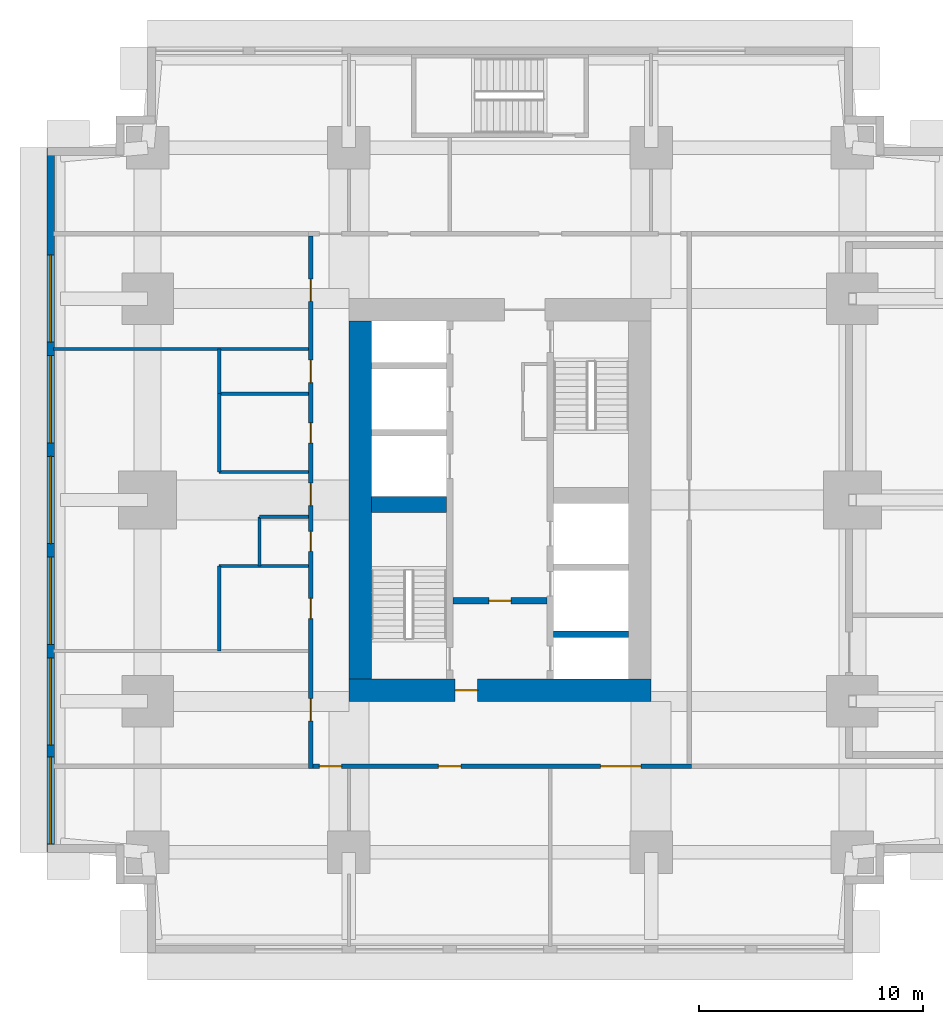
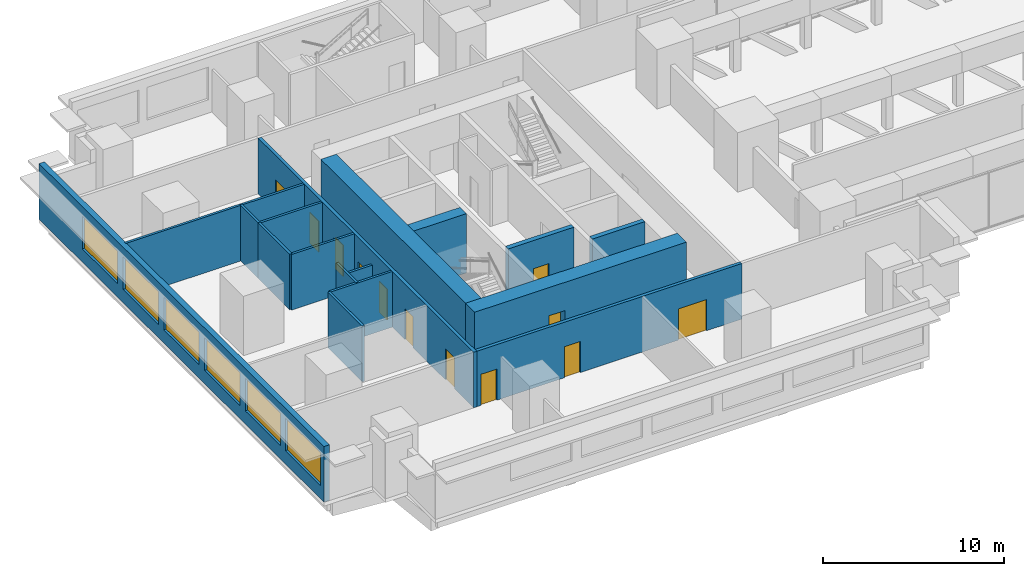
# One storey, part 7 of 15: 17 walls, 12 doors, 6 windows, 18 openings.
"""IFC4 building model written with IfcOpenShell, lengths in metres."""

from ifc_helpers import new_model, si_unit, direction, frame, frame_2d, origin, place, context, subcontext, project, spatial, rectangle, extrude, material, layer, layer_set, type_object, element, fill, save


model = new_model("IFC4")

# Units and contexts
model_context = context("Model", 3, precision=1e-05, world=origin(), true_north=direction((0.0, 1.0)))
body_context = subcontext(model_context, "Body", "Model", "MODEL_VIEW")
ifc_project = project(units=[si_unit("LENGTHUNIT", "METRE"), si_unit("AREAUNIT", "SQUARE_METRE"), si_unit("VOLUMEUNIT", "CUBIC_METRE"), si_unit("PLANEANGLEUNIT", "RADIAN"), si_unit("MASSUNIT", "GRAM", prefix="KILO")], contexts=[model_context])

# Site, building, storey
site_placement = place(None, origin())
site = spatial("IfcSite", under=ifc_project, at=site_placement, CompositionType="ELEMENT")
building_placement = place(site_placement, origin())
building = spatial("IfcBuilding", under=site, at=building_placement, Name="Namib Vertical Campus", CompositionType="ELEMENT")
storey_placement = place(building_placement, frame((0.0, 0.0, 105.0)))
storey = spatial("IfcBuildingStorey", under=building, at=storey_placement, Name="L24", CompositionType="ELEMENT", Elevation=105.0)

# Wall, opening, door
ifc_material_1 = material(Name="Concrete C60/75", Category="concrete")
ifc_layer_1 = layer(ifc_material_1, 0.300048828125)
ifc_layer_set_1 = layer_set([ifc_layer_1], Name="Concrete C60/75")
wall_type_1 = type_object("IfcWallType", Name="Core inner wall 300", PredefinedType="SHEAR", material=ifc_layer_set_1)
wall_1_placement = place(storey_placement, frame((18.14990234375, 15.75, 0.0), z_axis=(0.0, 0.0, 1.0), x_axis=(1.0, 0.0, 0.0)))
wall_1 = element("IfcWall", 1, at=wall_1_placement, inside=storey, type_object=wall_type_1, Name="Core inner wall A L24 W4", PredefinedType="SHEAR", context=body_context, shape_type="SweptSolid", body=[
    extrude(rectangle(XDim=4.2001953125, YDim=0.300048828125, at=frame_2d((2.10009765625, 0.0))), origin(), (0.0, 0.0, 1.0), 4.0),
])
opening_1_placement = place(wall_1_placement, frame((1.60009765625, 0.0, 0.0)))
opening_1 = element("IfcOpeningElement", 2, at=opening_1_placement, cuts=wall_1, Name="Opening FD5", PredefinedType="OPENING", context=body_context, shape_type="SweptSolid", body=[
    extrude(rectangle(XDim=1.0, YDim=2.10009765625, at=frame_2d((0.5, 1.050048828125))), frame((0.0, 0.159912109375, 0.0), z_axis=(0.0, -1.0, 0.0), x_axis=(1.0, 0.0, 0.0)), (0.0, 0.0, 1.0), 0.320068359375),
])
ifc_material_2 = material(Name="Steel fire door", Category="steel")
door_type_1 = type_object("IfcDoorType", Name="Fire door 1000x2100 120 min", OperationType="SINGLE_SWING_RIGHT", PredefinedType="DOOR", material=ifc_material_2)
door_1_placement = place(opening_1_placement, frame((1.0, 0.0, 0.0), z_axis=(0.0, 0.0, 1.0), x_axis=(-1.0, 0.0, 0.0)))
door_1 = element("IfcDoor", 3, at=door_1_placement, inside=storey, type_object=door_type_1, Name="Lobby door FD5 A L24", OperationType="SINGLE_SWING_RIGHT", OverallHeight=2.10009765625, OverallWidth=1.0, PredefinedType="DOOR", context=body_context, shape_type="SweptSolid", body=[
    extrude(rectangle(XDim=1.0, YDim=2.10009765625, at=frame_2d((0.5, 1.050048828125))), frame((0.0, 0.02490234375, 0.0), z_axis=(0.0, -1.0, 0.0), x_axis=(1.0, 0.0, 0.0)), (0.0, 0.0, 1.0), 0.050048828125),
])
fill(opening_1, door_1)

# Walls
wall_2_placement = place(storey_placement, frame((22.64990234375, 14.25, 0.0), z_axis=(0.0, 0.0, 1.0), x_axis=(1.0, 0.0, 0.0)))
element("IfcWall", 4, at=wall_2_placement, inside=storey, type_object=wall_type_1, Name="Core inner wall A L24 W5", PredefinedType="SHEAR", context=body_context, shape_type="SweptSolid", body=[
    extrude(rectangle(XDim=3.35009765625, YDim=0.300048828125, at=frame_2d((1.675048828125, 0.0))), origin(), (0.0, 0.0, 1.0), 4.0),
])
ifc_material_3 = material(Name="Concrete C60/75", Category="concrete")
ifc_layer_2 = layer(ifc_material_3, 0.699951171875)
ifc_layer_set_2 = layer_set([ifc_layer_2], Name="Concrete C60/75")
wall_type_2 = type_object("IfcWallType", Name="Core shear wall 700", PredefinedType="SHEAR", material=ifc_layer_set_2)
wall_3_placement = place(storey_placement, frame((14.5, 20.050048828125, 0.0), z_axis=(0.0, 0.0, 1.0), x_axis=(1.0, 0.0, 0.0)))
element("IfcWall", 5, at=wall_3_placement, inside=storey, type_object=wall_type_2, Name="Core shear wall A L24 W3", PredefinedType="SHEAR", context=body_context, shape_type="SweptSolid", body=[
    extrude(rectangle(XDim=3.35009765625, YDim=0.699951171875, at=frame_2d((1.675048828125, 0.0))), origin(), (0.0, 0.0, 1.0), 4.0),
])

# Wall, opening, door
ifc_material_4 = material(Name="Concrete C60/75", Category="concrete")
ifc_layer_3 = layer(ifc_material_4, 1.0)
ifc_layer_set_3 = layer_set([ifc_layer_3], Name="Concrete C60/75")
wall_type_3 = type_object("IfcWallType", Name="Core wall 1000", PredefinedType="SHEAR", material=ifc_layer_set_3)
wall_4_placement = place(storey_placement, frame((13.5, 11.75, 0.0), z_axis=(0.0, 0.0, 1.0), x_axis=(1.0, 0.0, 0.0)))
wall_4 = element("IfcWall", 6, at=wall_4_placement, inside=storey, type_object=wall_type_3, Name="Core wall A L24 1", PredefinedType="SHEAR", context=body_context, shape_type="SweptSolid", body=[
    extrude(rectangle(XDim=13.5, YDim=1.0, at=frame_2d((6.75, 0.0))), origin(), (0.0, 0.0, 1.0), 4.0),
])
opening_2_placement = place(wall_4_placement, frame((4.75, 0.0, 0.0)))
opening_2 = element("IfcOpeningElement", 7, at=opening_2_placement, cuts=wall_4, Name="Opening FD5", PredefinedType="OPENING", context=body_context, shape_type="SweptSolid", body=[
    extrude(rectangle(XDim=1.0, YDim=2.10009765625, at=frame_2d((0.5, 1.050048828125))), frame((0.0, 0.510009765625, 0.0), z_axis=(0.0, -1.0, 0.0), x_axis=(1.0, 0.0, 0.0)), (0.0, 0.0, 1.0), 1.02001953125),
])
door_2_placement = place(opening_2_placement, origin())
door_2 = element("IfcDoor", 8, at=door_2_placement, inside=storey, type_object=door_type_1, Name="Firefighting lobby door FD5 A L24", OperationType="SINGLE_SWING_LEFT", OverallHeight=2.10009765625, OverallWidth=1.0, PredefinedType="DOOR", context=body_context, shape_type="SweptSolid", body=[
    extrude(rectangle(XDim=1.0, YDim=2.10009765625, at=frame_2d((0.5, 1.050048828125))), frame((0.0, 0.02490234375, 0.0), z_axis=(0.0, -1.0, 0.0), x_axis=(1.0, 0.0, 0.0)), (0.0, 0.0, 1.0), 0.050048828125),
])
fill(opening_2, door_2)

# Wall
wall_5_placement = place(storey_placement, frame((14.0, 28.25, 0.0), z_axis=(0.0, 0.0, 1.0), x_axis=(0.0, -1.0, 0.0)))
element("IfcWall", 9, at=wall_5_placement, inside=storey, type_object=wall_type_3, Name="Core wall A L24 4", PredefinedType="SHEAR", context=body_context, shape_type="SweptSolid", body=[
    extrude(rectangle(XDim=16.0, YDim=1.0, at=frame_2d((8.0, 0.0))), origin(), (0.0, 0.0, 1.0), 4.0),
])

# Wall, openings, doors
ifc_material_5 = material(Name="Concrete masonry", Category="masonry")
ifc_layer_4 = layer(ifc_material_5, 0.199951171875)
ifc_layer_set_4 = layer_set([ifc_layer_4], Name="Corridor wall 200")
wall_type_4 = type_object("IfcWallType", Name="Corridor wall 200", PredefinedType="SOLIDWALL", material=ifc_layer_set_4)
wall_6_placement = place(storey_placement, frame((11.89990234375, 8.35009765625, 0.0), z_axis=(0.0, 0.0, 1.0), x_axis=(1.0, 0.0, 0.0)))
wall_6 = element("IfcWall", 10, at=wall_6_placement, inside=storey, type_object=wall_type_4, Name="Corridor wall A L24 CS", PredefinedType="SOLIDWALL", context=body_context, shape_type="SweptSolid", body=[
    extrude(rectangle(XDim=16.900146484375, YDim=0.199951171875, at=frame_2d((8.4501953125, 0.0))), origin(), (0.0, 0.0, 1.0), 3.75),
])
opening_3_placement = place(wall_6_placement, frame((0.27490234375, 0.0, 0.0)))
opening_3 = element("IfcOpeningElement", 11, at=opening_3_placement, cuts=wall_6, Name="Opening CD1", PredefinedType="OPENING", context=body_context, shape_type="SweptSolid", body=[
    extrude(rectangle(XDim=1.0, YDim=2.10009765625, at=frame_2d((0.5, 1.050048828125))), frame((0.0, 0.10986328125, 0.0), z_axis=(0.0, -1.0, 0.0), x_axis=(1.0, 0.0, 0.0)), (0.0, 0.0, 1.0), 0.219970703125),
])
opening_4_placement = place(wall_6_placement, frame((5.60009765625, 0.0, 0.0)))
opening_4 = element("IfcOpeningElement", 12, at=opening_4_placement, cuts=wall_6, Name="Opening CD1", PredefinedType="OPENING", context=body_context, shape_type="SweptSolid", body=[
    extrude(rectangle(XDim=1.0, YDim=2.10009765625, at=frame_2d((0.5, 1.050048828125))), frame((0.0, 0.10986328125, 0.0), z_axis=(0.0, -1.0, 0.0), x_axis=(1.0, 0.0, 0.0)), (0.0, 0.0, 1.0), 0.219970703125),
])
opening_5_placement = place(wall_6_placement, frame((12.85009765625, 0.0, 0.0)))
opening_5 = element("IfcOpeningElement", 13, at=opening_5_placement, cuts=wall_6, Name="Opening CD2", PredefinedType="OPENING", context=body_context, shape_type="SweptSolid", body=[
    extrude(rectangle(XDim=1.800048828125, YDim=2.10009765625, at=frame_2d((0.89990234375, 1.050048828125))), frame((0.0, 0.10986328125, 0.0), z_axis=(0.0, -1.0, 0.0), x_axis=(1.0, 0.0, 0.0)), (0.0, 0.0, 1.0), 0.219970703125),
])
ifc_material_6 = material(Name="Timber fire door leaf", Category="wood")
door_type_2 = type_object("IfcDoorType", Name="Corridor door 1000x2100 20 min", OperationType="SINGLE_SWING_LEFT", PredefinedType="DOOR", material=ifc_material_6)
door_3_placement = place(opening_3_placement, frame((1.0, 0.0, 0.0), z_axis=(0.0, 0.0, 1.0), x_axis=(-1.0, 0.0, 0.0)))
door_3 = element("IfcDoor", 14, at=door_3_placement, inside=storey, type_object=door_type_2, Name="Door CD1 A24-01", OperationType="SINGLE_SWING_LEFT", OverallHeight=2.10009765625, OverallWidth=1.0, PredefinedType="DOOR", context=body_context, shape_type="SweptSolid", body=[
    extrude(rectangle(XDim=1.0, YDim=2.10009765625, at=frame_2d((0.5, 1.050048828125))), frame((0.0, 0.02490234375, 0.0), z_axis=(0.0, -1.0, 0.0), x_axis=(1.0, 0.0, 0.0)), (0.0, 0.0, 1.0), 0.050048828125),
])
fill(opening_3, door_3)
door_4_placement = place(opening_4_placement, frame((1.0, 0.0, 0.0), z_axis=(0.0, 0.0, 1.0), x_axis=(-1.0, 0.0, 0.0)))
door_4 = element("IfcDoor", 15, at=door_4_placement, inside=storey, type_object=door_type_2, Name="Door CD1 A24-02", OperationType="SINGLE_SWING_RIGHT", OverallHeight=2.10009765625, OverallWidth=1.0, PredefinedType="DOOR", context=body_context, shape_type="SweptSolid", body=[
    extrude(rectangle(XDim=1.0, YDim=2.10009765625, at=frame_2d((0.5, 1.050048828125))), frame((0.0, 0.02490234375, 0.0), z_axis=(0.0, -1.0, 0.0), x_axis=(1.0, 0.0, 0.0)), (0.0, 0.0, 1.0), 0.050048828125),
])
fill(opening_4, door_4)
ifc_material_7 = material(Name="Timber fire door leaf", Category="wood")
door_type_3 = type_object("IfcDoorType", Name="Corridor door double 1800x2100 20 min", OperationType="DOUBLE_DOOR_SINGLE_SWING", PredefinedType="DOOR", material=ifc_material_7)
door_5_placement = place(opening_5_placement, frame((1.800048828125, 0.0, 0.0), z_axis=(0.0, 0.0, 1.0), x_axis=(-1.0, 0.0, 0.0)))
door_5 = element("IfcDoor", 16, at=door_5_placement, inside=storey, type_object=door_type_3, Name="Door CD2 A24-03", OperationType="DOUBLE_DOOR_SINGLE_SWING", OverallHeight=2.10009765625, OverallWidth=1.800048828125, PredefinedType="DOOR", context=body_context, shape_type="SweptSolid", body=[
    extrude(rectangle(XDim=1.800048828125, YDim=2.10009765625, at=frame_2d((0.89990234375, 1.050048828125))), frame((0.0, 0.02490234375, 0.0), z_axis=(0.0, -1.0, 0.0), x_axis=(1.0, 0.0, 0.0)), (0.0, 0.0, 1.0), 0.050048828125),
])
fill(opening_5, door_5)

wall_7_placement = place(storey_placement, frame((11.800048828125, 32.050048828125, 0.0), z_axis=(0.0, 0.0, 1.0), x_axis=(0.0, -1.0, 0.0)))
wall_7 = element("IfcWall", 17, at=wall_7_placement, inside=storey, type_object=wall_type_4, Name="Corridor wall A L24 CW", PredefinedType="SOLIDWALL", context=body_context, shape_type="SweptSolid", body=[
    extrude(rectangle(XDim=23.800048828125, YDim=0.199951171875, at=frame_2d((11.89990234375, 0.0))), origin(), (0.0, 0.0, 1.0), 3.75),
])
opening_6_placement = place(wall_7_placement, frame((20.675048828125, 0.0, 0.0)))
opening_6 = element("IfcOpeningElement", 18, at=opening_6_placement, cuts=wall_7, Name="Opening CD1", PredefinedType="OPENING", context=body_context, shape_type="SweptSolid", body=[
    extrude(rectangle(XDim=1.0, YDim=2.10009765625, at=frame_2d((0.5, 1.050048828125))), frame((0.0, 0.10986328125, 0.0), z_axis=(0.0, -1.0, 0.0), x_axis=(1.0, 0.0, 0.0)), (0.0, 0.0, 1.0), 0.219970703125),
])
opening_7_placement = place(wall_7_placement, frame((16.199951171875, 0.0, 0.0)))
opening_7 = element("IfcOpeningElement", 19, at=opening_7_placement, cuts=wall_7, Name="Opening CD3", PredefinedType="OPENING", context=body_context, shape_type="SweptSolid", body=[
    extrude(rectangle(XDim=0.89990234375, YDim=2.10009765625, at=frame_2d((0.449951171875, 1.050048828125))), frame((0.0, 0.10986328125, 0.0), z_axis=(0.0, -1.0, 0.0), x_axis=(1.0, 0.0, 0.0)), (0.0, 0.0, 1.0), 0.219970703125),
])
opening_8_placement = place(wall_7_placement, frame((13.199951171875, 0.0, 0.0)))
opening_8 = element("IfcOpeningElement", 20, at=opening_8_placement, cuts=wall_7, Name="Opening CD3", PredefinedType="OPENING", context=body_context, shape_type="SweptSolid", body=[
    extrude(rectangle(XDim=0.89990234375, YDim=2.10009765625, at=frame_2d((0.449951171875, 1.050048828125))), frame((0.0, 0.10986328125, 0.0), z_axis=(0.0, -1.0, 0.0), x_axis=(1.0, 0.0, 0.0)), (0.0, 0.0, 1.0), 0.219970703125),
])
opening_9_placement = place(wall_7_placement, frame((8.35009765625, 0.0, 0.0)))
opening_9 = element("IfcOpeningElement", 21, at=opening_9_placement, cuts=wall_7, Name="Opening CD3", PredefinedType="OPENING", context=body_context, shape_type="SweptSolid", body=[
    extrude(rectangle(XDim=0.89990234375, YDim=2.10009765625, at=frame_2d((0.449951171875, 1.050048828125))), frame((0.0, 0.10986328125, 0.0), z_axis=(0.0, -1.0, 0.0), x_axis=(1.0, 0.0, 0.0)), (0.0, 0.0, 1.0), 0.219970703125),
])
opening_10_placement = place(wall_7_placement, frame((5.550048828125, 0.0, 0.0)))
opening_10 = element("IfcOpeningElement", 22, at=opening_10_placement, cuts=wall_7, Name="Opening CD1", PredefinedType="OPENING", context=body_context, shape_type="SweptSolid", body=[
    extrude(rectangle(XDim=1.0, YDim=2.10009765625, at=frame_2d((0.5, 1.050048828125))), frame((0.0, 0.10986328125, 0.0), z_axis=(0.0, -1.0, 0.0), x_axis=(1.0, 0.0, 0.0)), (0.0, 0.0, 1.0), 0.219970703125),
])
opening_11_placement = place(wall_7_placement, frame((11.050048828125, 0.0, 0.0)))
opening_11 = element("IfcOpeningElement", 23, at=opening_11_placement, cuts=wall_7, Name="Opening CD1", PredefinedType="OPENING", context=body_context, shape_type="SweptSolid", body=[
    extrude(rectangle(XDim=1.0, YDim=2.10009765625, at=frame_2d((0.5, 1.050048828125))), frame((0.0, 0.10986328125, 0.0), z_axis=(0.0, -1.0, 0.0), x_axis=(1.0, 0.0, 0.0)), (0.0, 0.0, 1.0), 0.219970703125),
])
opening_12_placement = place(wall_7_placement, frame((1.925048828125, 0.0, 0.0)))
opening_12 = element("IfcOpeningElement", 24, at=opening_12_placement, cuts=wall_7, Name="Opening CD1", PredefinedType="OPENING", context=body_context, shape_type="SweptSolid", body=[
    extrude(rectangle(XDim=1.0, YDim=2.10009765625, at=frame_2d((0.5, 1.050048828125))), frame((0.0, 0.10986328125, 0.0), z_axis=(0.0, -1.0, 0.0), x_axis=(1.0, 0.0, 0.0)), (0.0, 0.0, 1.0), 0.219970703125),
])
door_6_placement = place(opening_6_placement, frame((1.0, 0.0, 0.0), z_axis=(0.0, 0.0, 1.0), x_axis=(-1.0, 0.0, 0.0)))
door_6 = element("IfcDoor", 25, at=door_6_placement, inside=storey, type_object=door_type_2, Name="Door CD1 A24-09", OperationType="SINGLE_SWING_RIGHT", OverallHeight=2.10009765625, OverallWidth=1.0, PredefinedType="DOOR", context=body_context, shape_type="SweptSolid", body=[
    extrude(rectangle(XDim=1.0, YDim=2.10009765625, at=frame_2d((0.5, 1.050048828125))), frame((0.0, 0.02490234375, 0.0), z_axis=(0.0, -1.0, 0.0), x_axis=(1.0, 0.0, 0.0)), (0.0, 0.0, 1.0), 0.050048828125),
])
fill(opening_6, door_6)
door_7_placement = place(opening_10_placement, frame((1.0, 0.0, 0.0), z_axis=(0.0, 0.0, 1.0), x_axis=(-1.0, 0.0, 0.0)))
door_7 = element("IfcDoor", 26, at=door_7_placement, inside=storey, type_object=door_type_2, Name="Door CD1 A24-13", OperationType="SINGLE_SWING_RIGHT", OverallHeight=2.10009765625, OverallWidth=1.0, PredefinedType="DOOR", context=body_context, shape_type="SweptSolid", body=[
    extrude(rectangle(XDim=1.0, YDim=2.10009765625, at=frame_2d((0.5, 1.050048828125))), frame((0.0, 0.02490234375, 0.0), z_axis=(0.0, -1.0, 0.0), x_axis=(1.0, 0.0, 0.0)), (0.0, 0.0, 1.0), 0.050048828125),
])
fill(opening_10, door_7)
door_8_placement = place(opening_11_placement, frame((1.0, 0.0, 0.0), z_axis=(0.0, 0.0, 1.0), x_axis=(-1.0, 0.0, 0.0)))
door_8 = element("IfcDoor", 27, at=door_8_placement, inside=storey, type_object=door_type_2, Name="Door CD1 A24-14", OperationType="SINGLE_SWING_RIGHT", OverallHeight=2.10009765625, OverallWidth=1.0, PredefinedType="DOOR", context=body_context, shape_type="SweptSolid", body=[
    extrude(rectangle(XDim=1.0, YDim=2.10009765625, at=frame_2d((0.5, 1.050048828125))), frame((0.0, 0.02490234375, 0.0), z_axis=(0.0, -1.0, 0.0), x_axis=(1.0, 0.0, 0.0)), (0.0, 0.0, 1.0), 0.050048828125),
])
fill(opening_11, door_8)
door_9_placement = place(opening_12_placement, frame((1.0, 0.0, 0.0), z_axis=(0.0, 0.0, 1.0), x_axis=(-1.0, 0.0, 0.0)))
door_9 = element("IfcDoor", 28, at=door_9_placement, inside=storey, type_object=door_type_2, Name="Door CD1 A24-15", OperationType="SINGLE_SWING_RIGHT", OverallHeight=2.10009765625, OverallWidth=1.0, PredefinedType="DOOR", context=body_context, shape_type="SweptSolid", body=[
    extrude(rectangle(XDim=1.0, YDim=2.10009765625, at=frame_2d((0.5, 1.050048828125))), frame((0.0, 0.02490234375, 0.0), z_axis=(0.0, -1.0, 0.0), x_axis=(1.0, 0.0, 0.0)), (0.0, 0.0, 1.0), 0.050048828125),
])
fill(opening_12, door_9)
ifc_material_8 = material(Name="Timber fire door leaf", Category="wood")
door_type_4 = type_object("IfcDoorType", Name="Corridor toilet door 900x2100 20 min", OperationType="SINGLE_SWING_LEFT", PredefinedType="DOOR", material=ifc_material_8)
door_10_placement = place(opening_7_placement, frame((0.89990234375, 0.0, 0.0), z_axis=(0.0, 0.0, 1.0), x_axis=(-1.0, 0.0, 0.0)))
door_10 = element("IfcDoor", 29, at=door_10_placement, inside=storey, type_object=door_type_4, Name="Door CD3 A24-10", OperationType="SINGLE_SWING_RIGHT", OverallHeight=2.10009765625, OverallWidth=0.89990234375, PredefinedType="DOOR", context=body_context, shape_type="SweptSolid", body=[
    extrude(rectangle(XDim=0.89990234375, YDim=2.10009765625, at=frame_2d((0.449951171875, 1.050048828125))), frame((0.0, 0.02490234375, 0.0), z_axis=(0.0, -1.0, 0.0), x_axis=(1.0, 0.0, 0.0)), (0.0, 0.0, 1.0), 0.050048828125),
])
fill(opening_7, door_10)
door_11_placement = place(opening_8_placement, frame((0.89990234375, 0.0, 0.0), z_axis=(0.0, 0.0, 1.0), x_axis=(-1.0, 0.0, 0.0)))
door_11 = element("IfcDoor", 30, at=door_11_placement, inside=storey, type_object=door_type_4, Name="Door CD3 A24-11", OperationType="SINGLE_SWING_RIGHT", OverallHeight=2.10009765625, OverallWidth=0.89990234375, PredefinedType="DOOR", context=body_context, shape_type="SweptSolid", body=[
    extrude(rectangle(XDim=0.89990234375, YDim=2.10009765625, at=frame_2d((0.449951171875, 1.050048828125))), frame((0.0, 0.02490234375, 0.0), z_axis=(0.0, -1.0, 0.0), x_axis=(1.0, 0.0, 0.0)), (0.0, 0.0, 1.0), 0.050048828125),
])
fill(opening_8, door_11)
door_12_placement = place(opening_9_placement, frame((0.89990234375, 0.0, 0.0), z_axis=(0.0, 0.0, 1.0), x_axis=(-1.0, 0.0, 0.0)))
door_12 = element("IfcDoor", 31, at=door_12_placement, inside=storey, type_object=door_type_4, Name="Door CD3 A24-12", OperationType="SINGLE_SWING_RIGHT", OverallHeight=2.10009765625, OverallWidth=0.89990234375, PredefinedType="DOOR", context=body_context, shape_type="SweptSolid", body=[
    extrude(rectangle(XDim=0.89990234375, YDim=2.10009765625, at=frame_2d((0.449951171875, 1.050048828125))), frame((0.0, 0.02490234375, 0.0), z_axis=(0.0, -1.0, 0.0), x_axis=(1.0, 0.0, 0.0)), (0.0, 0.0, 1.0), 0.050048828125),
])
fill(opening_9, door_12)

# Wall, openings, windows
ifc_material_9 = material(Name="Concrete C40/50", Category="concrete")
ifc_layer_5 = layer(ifc_material_9, 0.35009765625)
ifc_layer_set_5 = layer_set([ifc_layer_5], Name="Concrete C40/50")
wall_type_5 = type_object("IfcWallType", Name="External wall 350 bush-hammered concrete", PredefinedType="STANDARD", material=ifc_layer_set_5)
wall_8_placement = place(storey_placement, frame((0.175048828125, 35.97998046875, 0.0), z_axis=(0.0, 0.0, 1.0), x_axis=(0.0, -1.0, 0.0)))
wall_8 = element("IfcWall", 32, at=wall_8_placement, inside=storey, type_object=wall_type_5, Name="External wall L24 F21", PredefinedType="STANDARD", context=body_context, shape_type="SweptSolid", body=[
    extrude(rectangle(XDim=31.4599609375, YDim=0.35009765625, at=frame_2d((15.72998046875, 0.0))), origin(), (0.0, 0.0, 1.0), 3.75),
])
opening_13_placement = place(wall_8_placement, frame((27.2099609375, 0.0, 0.89990234375)))
opening_13 = element("IfcOpeningElement", 33, at=opening_13_placement, cuts=wall_8, Name="Opening W1", PredefinedType="OPENING", context=body_context, shape_type="SweptSolid", body=[
    extrude(rectangle(XDim=3.89990234375, YDim=2.199951171875, at=frame_2d((1.949951171875, 1.10009765625))), frame((0.0, 0.18505859375, 0.0), z_axis=(0.0, -1.0, 0.0), x_axis=(1.0, 0.0, 0.0)), (0.0, 0.0, 1.0), 0.3701171875),
])
opening_14_placement = place(wall_8_placement, frame((22.780029296875, 0.0, 0.89990234375)))
opening_14 = element("IfcOpeningElement", 34, at=opening_14_placement, cuts=wall_8, Name="Opening W1", PredefinedType="OPENING", context=body_context, shape_type="SweptSolid", body=[
    extrude(rectangle(XDim=3.89990234375, YDim=2.199951171875, at=frame_2d((1.949951171875, 1.10009765625))), frame((0.0, 0.18505859375, 0.0), z_axis=(0.0, -1.0, 0.0), x_axis=(1.0, 0.0, 0.0)), (0.0, 0.0, 1.0), 0.3701171875),
])
opening_15_placement = place(wall_8_placement, frame((18.280029296875, 0.0, 0.89990234375)))
opening_15 = element("IfcOpeningElement", 35, at=opening_15_placement, cuts=wall_8, Name="Opening W1", PredefinedType="OPENING", context=body_context, shape_type="SweptSolid", body=[
    extrude(rectangle(XDim=3.89990234375, YDim=2.199951171875, at=frame_2d((1.949951171875, 1.10009765625))), frame((0.0, 0.18505859375, 0.0), z_axis=(0.0, -1.0, 0.0), x_axis=(1.0, 0.0, 0.0)), (0.0, 0.0, 1.0), 0.3701171875),
])
opening_16_placement = place(wall_8_placement, frame((13.780029296875, 0.0, 0.89990234375)))
opening_16 = element("IfcOpeningElement", 36, at=opening_16_placement, cuts=wall_8, Name="Opening W1", PredefinedType="OPENING", context=body_context, shape_type="SweptSolid", body=[
    extrude(rectangle(XDim=3.89990234375, YDim=2.199951171875, at=frame_2d((1.949951171875, 1.10009765625))), frame((0.0, 0.18505859375, 0.0), z_axis=(0.0, -1.0, 0.0), x_axis=(1.0, 0.0, 0.0)), (0.0, 0.0, 1.0), 0.3701171875),
])
opening_17_placement = place(wall_8_placement, frame((9.280029296875, 0.0, 0.89990234375)))
opening_17 = element("IfcOpeningElement", 37, at=opening_17_placement, cuts=wall_8, Name="Opening W1", PredefinedType="OPENING", context=body_context, shape_type="SweptSolid", body=[
    extrude(rectangle(XDim=3.89990234375, YDim=2.199951171875, at=frame_2d((1.949951171875, 1.10009765625))), frame((0.0, 0.18505859375, 0.0), z_axis=(0.0, -1.0, 0.0), x_axis=(1.0, 0.0, 0.0)), (0.0, 0.0, 1.0), 0.3701171875),
])
opening_18_placement = place(wall_8_placement, frame((4.780029296875, 0.0, 0.89990234375)))
opening_18 = element("IfcOpeningElement", 38, at=opening_18_placement, cuts=wall_8, Name="Opening W1", PredefinedType="OPENING", context=body_context, shape_type="SweptSolid", body=[
    extrude(rectangle(XDim=3.89990234375, YDim=2.199951171875, at=frame_2d((1.949951171875, 1.10009765625))), frame((0.0, 0.18505859375, 0.0), z_axis=(0.0, -1.0, 0.0), x_axis=(1.0, 0.0, 0.0)), (0.0, 0.0, 1.0), 0.3701171875),
])
ifc_material_10 = material(Name="Dark tinted glass in black aluminium frame", Category="aluminium")
window_type = type_object("IfcWindowType", Name="Ribbon window 3900x2200", PartitioningType="SINGLE_PANEL", PredefinedType="WINDOW", material=ifc_material_10)
window_1_placement = place(opening_13_placement, origin())
window_1 = element("IfcWindow", 39, at=window_1_placement, inside=storey, type_object=window_type, Name="Window W1 L24 F21-1", OverallHeight=2.199951171875, OverallWidth=3.89990234375, PartitioningType="SINGLE_PANEL", PredefinedType="WINDOW", context=body_context, shape_type="SweptSolid", body=[
    extrude(rectangle(XDim=3.89990234375, YDim=2.199951171875, at=frame_2d((1.949951171875, 1.10009765625))), frame((0.0, 0.030029296875, 0.0), z_axis=(0.0, -1.0, 0.0), x_axis=(1.0, 0.0, 0.0)), (0.0, 0.0, 1.0), 0.06005859375),
])
fill(opening_13, window_1)
window_2_placement = place(opening_14_placement, origin())
window_2 = element("IfcWindow", 40, at=window_2_placement, inside=storey, type_object=window_type, Name="Window W1 L24 F21-2", OverallHeight=2.199951171875, OverallWidth=3.89990234375, PartitioningType="SINGLE_PANEL", PredefinedType="WINDOW", context=body_context, shape_type="SweptSolid", body=[
    extrude(rectangle(XDim=3.89990234375, YDim=2.199951171875, at=frame_2d((1.949951171875, 1.10009765625))), frame((0.0, 0.030029296875, 0.0), z_axis=(0.0, -1.0, 0.0), x_axis=(1.0, 0.0, 0.0)), (0.0, 0.0, 1.0), 0.06005859375),
])
fill(opening_14, window_2)
window_3_placement = place(opening_15_placement, origin())
window_3 = element("IfcWindow", 41, at=window_3_placement, inside=storey, type_object=window_type, Name="Window W1 L24 F21-3", OverallHeight=2.199951171875, OverallWidth=3.89990234375, PartitioningType="SINGLE_PANEL", PredefinedType="WINDOW", context=body_context, shape_type="SweptSolid", body=[
    extrude(rectangle(XDim=3.89990234375, YDim=2.199951171875, at=frame_2d((1.949951171875, 1.10009765625))), frame((0.0, 0.030029296875, 0.0), z_axis=(0.0, -1.0, 0.0), x_axis=(1.0, 0.0, 0.0)), (0.0, 0.0, 1.0), 0.06005859375),
])
fill(opening_15, window_3)
window_4_placement = place(opening_16_placement, origin())
window_4 = element("IfcWindow", 42, at=window_4_placement, inside=storey, type_object=window_type, Name="Window W1 L24 F21-4", OverallHeight=2.199951171875, OverallWidth=3.89990234375, PartitioningType="SINGLE_PANEL", PredefinedType="WINDOW", context=body_context, shape_type="SweptSolid", body=[
    extrude(rectangle(XDim=3.89990234375, YDim=2.199951171875, at=frame_2d((1.949951171875, 1.10009765625))), frame((0.0, 0.030029296875, 0.0), z_axis=(0.0, -1.0, 0.0), x_axis=(1.0, 0.0, 0.0)), (0.0, 0.0, 1.0), 0.06005859375),
])
fill(opening_16, window_4)
window_5_placement = place(opening_17_placement, origin())
window_5 = element("IfcWindow", 43, at=window_5_placement, inside=storey, type_object=window_type, Name="Window W1 L24 F21-5", OverallHeight=2.199951171875, OverallWidth=3.89990234375, PartitioningType="SINGLE_PANEL", PredefinedType="WINDOW", context=body_context, shape_type="SweptSolid", body=[
    extrude(rectangle(XDim=3.89990234375, YDim=2.199951171875, at=frame_2d((1.949951171875, 1.10009765625))), frame((0.0, 0.030029296875, 0.0), z_axis=(0.0, -1.0, 0.0), x_axis=(1.0, 0.0, 0.0)), (0.0, 0.0, 1.0), 0.06005859375),
])
fill(opening_17, window_5)
window_6_placement = place(opening_18_placement, origin())
window_6 = element("IfcWindow", 44, at=window_6_placement, inside=storey, type_object=window_type, Name="Window W1 L24 F21-6", OverallHeight=2.199951171875, OverallWidth=3.89990234375, PartitioningType="SINGLE_PANEL", PredefinedType="WINDOW", context=body_context, shape_type="SweptSolid", body=[
    extrude(rectangle(XDim=3.89990234375, YDim=2.199951171875, at=frame_2d((1.949951171875, 1.10009765625))), frame((0.0, 0.030029296875, 0.0), z_axis=(0.0, -1.0, 0.0), x_axis=(1.0, 0.0, 0.0)), (0.0, 0.0, 1.0), 0.06005859375),
])
fill(opening_18, window_6)

# Walls
ifc_material_11 = material(Name="Gypsum board on steel studs", Category="steel")
ifc_layer_6 = layer(ifc_material_11, 0.14990234375)
ifc_layer_set_6 = layer_set([ifc_layer_6], Name="Gypsum board on steel studs")
wall_type_6 = type_object("IfcWallType", Name="Partition 150", PredefinedType="PARTITIONING", material=ifc_layer_set_6)
wall_9_placement = place(storey_placement, frame((0.300048828125, 27.0, 0.0), z_axis=(0.0, 0.0, 1.0), x_axis=(1.0, 0.0, 0.0)))
element("IfcWall", 45, at=wall_9_placement, inside=storey, type_object=wall_type_6, Name="Partition A L24 PW2", PredefinedType="PARTITIONING", context=body_context, shape_type="SweptSolid", body=[
    extrude(rectangle(XDim=11.39990234375, YDim=0.14990234375, at=frame_2d((5.699951171875, 0.0))), origin(), (0.0, 0.0, 1.0), 3.75),
])
wall_10_placement = place(storey_placement, frame((11.699951171875, 17.300048828125, 0.0), z_axis=(0.0, 0.0, 1.0), x_axis=(-1.0, 0.0, 0.0)))
element("IfcWall", 46, at=wall_10_placement, inside=storey, type_object=wall_type_6, Name="Partition A L24 WR1", PredefinedType="PARTITIONING", context=body_context, shape_type="SweptSolid", body=[
    extrude(rectangle(XDim=4.0, YDim=0.14990234375, at=frame_2d((2.0, 0.0))), origin(), (0.0, 0.0, 1.0), 3.75),
])
wall_11_placement = place(storey_placement, frame((11.699951171875, 19.5, 0.0), z_axis=(0.0, 0.0, 1.0), x_axis=(-1.0, 0.0, 0.0)))
element("IfcWall", 47, at=wall_11_placement, inside=storey, type_object=wall_type_6, Name="Partition A L24 WR2", PredefinedType="PARTITIONING", context=body_context, shape_type="SweptSolid", body=[
    extrude(rectangle(XDim=2.199951171875, YDim=0.14990234375, at=frame_2d((1.10009765625, 0.0))), origin(), (0.0, 0.0, 1.0), 2.85009765625),
])
for number, where, z_axis, x_axis, name in (
    (48, (11.699951171875, 21.5, 0.0), (0.0, 0.0, 1.0), (-1.0, 0.0, 0.0), "Partition A L24 WR3"),
    (49, (11.699951171875, 25.0, 0.0), (0.0, 0.0, 1.0), (-1.0, 0.0, 0.0), "Partition A L24 WR4"),
):
    element("IfcWall", number, at=place(storey_placement, frame(where, z_axis=z_axis, x_axis=x_axis)), inside=storey, type_object=wall_type_6, Name=name, PredefinedType="PARTITIONING", context=body_context, shape_type="SweptSolid", body=[
        extrude(rectangle(XDim=4.0, YDim=0.14990234375, at=frame_2d((2.0, 0.0))), origin(), (0.0, 0.0, 1.0), 3.75),
    ])
wall_12_placement = place(storey_placement, frame((7.699951171875, 13.5, 0.0), z_axis=(0.0, 0.0, 1.0), x_axis=(0.0, 1.0, 0.0)))
element("IfcWall", 50, at=wall_12_placement, inside=storey, type_object=wall_type_6, Name="Partition A L24 WB1", PredefinedType="PARTITIONING", context=body_context, shape_type="SweptSolid", body=[
    extrude(rectangle(XDim=3.800048828125, YDim=0.14990234375, at=frame_2d((1.89990234375, 0.0))), origin(), (0.0, 0.0, 1.0), 3.75),
])
wall_13_placement = place(storey_placement, frame((9.5, 17.300048828125, 0.0), z_axis=(0.0, 0.0, 1.0), x_axis=(0.0, 1.0, 0.0)))
element("IfcWall", 51, at=wall_13_placement, inside=storey, type_object=wall_type_6, Name="Partition A L24 WB2", PredefinedType="PARTITIONING", context=body_context, shape_type="SweptSolid", body=[
    extrude(rectangle(XDim=2.199951171875, YDim=0.14990234375, at=frame_2d((1.10009765625, 0.0))), origin(), (0.0, 0.0, 1.0), 3.75),
])
wall_14_placement = place(storey_placement, frame((7.699951171875, 21.5, 0.0), z_axis=(0.0, 0.0, 1.0), x_axis=(0.0, 1.0, 0.0)))
element("IfcWall", 52, at=wall_14_placement, inside=storey, type_object=wall_type_6, Name="Partition A L24 WB3", PredefinedType="PARTITIONING", context=body_context, shape_type="SweptSolid", body=[
    extrude(rectangle(XDim=3.5, YDim=0.14990234375, at=frame_2d((1.75, 0.0))), origin(), (0.0, 0.0, 1.0), 3.75),
])
wall_15_placement = place(storey_placement, frame((7.699951171875, 25.0, 0.0), z_axis=(0.0, 0.0, 1.0), x_axis=(0.0, 1.0, 0.0)))
element("IfcWall", 53, at=wall_15_placement, inside=storey, type_object=wall_type_6, Name="Partition A L24 WB4", PredefinedType="PARTITIONING", context=body_context, shape_type="SweptSolid", body=[
    extrude(rectangle(XDim=2.0, YDim=0.14990234375, at=frame_2d((1.0, 0.0))), origin(), (0.0, 0.0, 1.0), 3.75),
])

save(model, "model.ifc")
